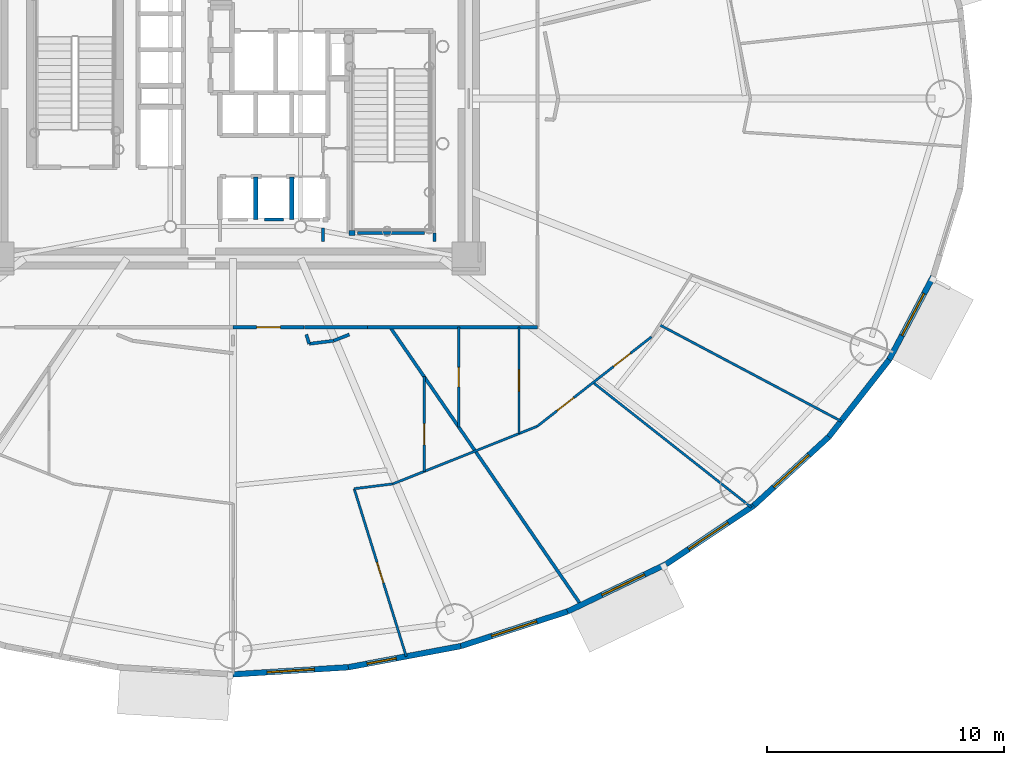
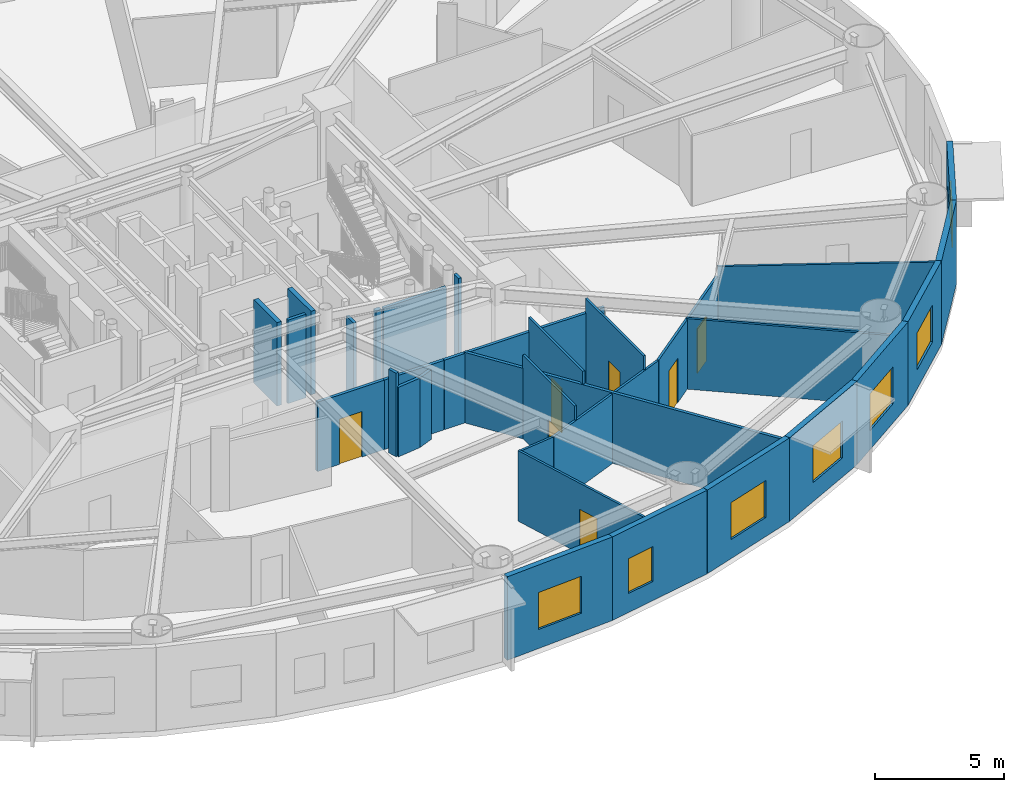
# One storey, part 10 of 21: 31 walls, 7 doors, 7 windows, 14 openings.
"""IFC4 building model written with IfcOpenShell, lengths in metres."""

from ifc_helpers import new_model, si_unit, direction, frame, frame_2d, origin, origin_2d, place, context, subcontext, project, spatial, rectangle, extrude, source, transform, mapped, material, layer, layer_set, type_object, element, fill, save


model = new_model("IFC4")

# Units and contexts
model_context = context("Model", 3, precision=1e-05, world=origin(), true_north=direction((0.0, 1.0)))
body_context = subcontext(model_context, "Body", "Model", "MODEL_VIEW")
ifc_project = project(units=[si_unit("LENGTHUNIT", "METRE"), si_unit("AREAUNIT", "SQUARE_METRE"), si_unit("VOLUMEUNIT", "CUBIC_METRE"), si_unit("PLANEANGLEUNIT", "RADIAN"), si_unit("MASSUNIT", "GRAM", prefix="KILO")], contexts=[model_context])

# Site, building, storey
site_placement = place(None, origin())
site = spatial("IfcSite", under=ifc_project, at=site_placement, CompositionType="ELEMENT")
building_placement = place(site_placement, origin())
building = spatial("IfcBuilding", under=site, at=building_placement, Name="Linh Dai School and Residence Tower", CompositionType="ELEMENT")
storey_placement = place(building_placement, frame((0.0, 0.0, 78.60009765625)))
storey = spatial("IfcBuildingStorey", under=building, at=storey_placement, Name="L18", CompositionType="ELEMENT", Elevation=78.60009765625)

# Wall, opening, window
ifc_material_1 = material(Name="Precast Concrete B45 (C35/45)", Category="concrete")
ifc_layer_1 = layer(ifc_material_1, 0.239990234375)
ifc_layer_set_1 = layer_set([ifc_layer_1], Name="Precast Concrete B45 (C35/45)")
wall_type_1 = type_object("IfcWallType", Name="EW-TC-240", PredefinedType="SOLIDWALL", material=ifc_layer_set_1)
wall_1_placement = place(storey_placement, frame((40.865478515625, 2.994873046875, 0.0), z_axis=(0.0, 0.0, 1.0), x_axis=(-0.998106954071, -0.061502099433, 0.0)))
wall_1 = element("IfcWall", 1, at=wall_1_placement, inside=storey, type_object=wall_type_1, Name="L18 Terracotta Exterior Wall 31", PredefinedType="SOLIDWALL", context=body_context, shape_type="SweptSolid", body=[
    extrude(rectangle(XDim=4.874755859375, YDim=0.239990234375, at=frame_2d((2.4375, 0.0))), origin(), (0.0, 0.0, 1.0), 3.949951171875),
])
opening_1_placement = place(wall_1_placement, frame((1.437255859375, 0.0, 0.89990234375)))
opening_1 = element("IfcOpeningElement", 2, at=opening_1_placement, cuts=wall_1, Name="Opening W1", PredefinedType="OPENING", context=body_context, shape_type="SweptSolid", body=[
    extrude(rectangle(XDim=2.0, YDim=1.75, at=origin_2d()), frame((1.0, 0.1298828125, 0.875), z_axis=(0.0, -1.0, 0.0), x_axis=(1.0, 0.0, 0.0)), (0.0, 0.0, 1.0), 0.260009765625),
])
ifc_material_2 = material(Name="Double Low-E Insulated Glazing", Category="glass")
window_type_1 = type_object("IfcWindowType", Name="WN-RES-2000x1750", PartitioningType="DOUBLE_PANEL_VERTICAL", PredefinedType="WINDOW", material=ifc_material_2)
shared_shape_1 = source(origin(), body_context, "Body", "SweptSolid", [
    extrude(rectangle(XDim=2.0, YDim=1.75, at=origin_2d()), frame((1.0, 0.030029296875, 0.875), z_axis=(0.0, -1.0, 0.0), x_axis=(1.0, 0.0, 0.0)), (0.0, 0.0, 1.0), 0.06005859375),
])
window_1_placement = place(opening_1_placement, origin())
window_1 = element("IfcWindow", 3, at=window_1_placement, inside=storey, type_object=window_type_1, Name="L18 Exterior Window 31.1", OverallHeight=1.75, OverallWidth=2.0, PartitioningType="DOUBLE_PANEL_VERTICAL", PredefinedType="WINDOW", context=body_context, shape_type="MappedRepresentation", body=[
    mapped(shared_shape_1, transform((0.0, 0.0, 0.0), x_axis=(1.0, 0.0, 0.0), y_axis=(0.0, 1.0, 0.0), z_axis=(0.0, 0.0, 1.0), scale=1.0)),
])
fill(opening_1, window_1)

wall_2_placement = place(storey_placement, frame((45.610595703125, 3.88671875, 0.0), z_axis=(0.0, 0.0, 1.0), x_axis=(-0.982791952378, -0.184715939598, 0.0)))
wall_2 = element("IfcWall", 4, at=wall_2_placement, inside=storey, type_object=wall_type_1, Name="L18 Terracotta Exterior Wall 32", PredefinedType="SOLIDWALL", context=body_context, shape_type="SweptSolid", body=[
    extrude(rectangle(XDim=4.828125, YDim=0.239990234375, at=frame_2d((2.4140625, 0.0))), origin(), (0.0, 0.0, 1.0), 3.949951171875),
])
opening_2_placement = place(wall_2_placement, frame((2.773193359375, 0.0, 0.89990234375)))
opening_2 = element("IfcOpeningElement", 5, at=opening_2_placement, cuts=wall_2, Name="Opening W3", PredefinedType="OPENING", context=body_context, shape_type="SweptSolid", body=[
    extrude(rectangle(XDim=1.25, YDim=1.64990234375, at=origin_2d()), frame((0.625, 0.1298828125, 0.824951171875), z_axis=(0.0, -1.0, 0.0), x_axis=(1.0, 0.0, 0.0)), (0.0, 0.0, 1.0), 0.260009765625),
])
window_type_2 = type_object("IfcWindowType", Name="WN-RES-1250x1650", PartitioningType="SINGLE_PANEL", PredefinedType="WINDOW", material=ifc_material_2)
shared_shape_2 = source(origin(), body_context, "Body", "SweptSolid", [
    extrude(rectangle(XDim=1.25, YDim=1.64990234375, at=origin_2d()), frame((0.625, 0.030029296875, 0.824951171875), z_axis=(0.0, -1.0, 0.0), x_axis=(1.0, 0.0, 0.0)), (0.0, 0.0, 1.0), 0.06005859375),
])
window_2_placement = place(opening_2_placement, origin())
window_2 = element("IfcWindow", 6, at=window_2_placement, inside=storey, type_object=window_type_2, Name="L18 Exterior Window 32.1", OverallHeight=1.64990234375, OverallWidth=1.25, PartitioningType="SINGLE_PANEL", PredefinedType="WINDOW", context=body_context, shape_type="MappedRepresentation", body=[
    mapped(shared_shape_2, transform((0.0, 0.0, 0.0), x_axis=(1.0, 0.0, 0.0), y_axis=(0.0, 1.0, 0.0), z_axis=(0.0, 0.0, 1.0), scale=1.0)),
])
fill(opening_2, window_2)

wall_3_placement = place(storey_placement, frame((50.1181640625, 5.348876953125, 0.0), z_axis=(0.0, 0.0, 1.0), x_axis=(-0.951207699013, -0.308551313946, 0.0)))
wall_3 = element("IfcWall", 7, at=wall_3_placement, inside=storey, type_object=wall_type_1, Name="L18 Terracotta Exterior Wall 33", PredefinedType="SOLIDWALL", context=body_context, shape_type="SweptSolid", body=[
    extrude(rectangle(XDim=4.73876953125, YDim=0.239990234375, at=frame_2d((2.369384765625, 0.0))), origin(), (0.0, 0.0, 1.0), 3.949951171875),
])
opening_3_placement = place(wall_3_placement, frame((1.369384765625, 0.0, 0.89990234375)))
opening_3 = element("IfcOpeningElement", 8, at=opening_3_placement, cuts=wall_3, Name="Opening W1", PredefinedType="OPENING", context=body_context, shape_type="SweptSolid", body=[
    extrude(rectangle(XDim=2.0, YDim=1.75, at=origin_2d()), frame((1.0, 0.1298828125, 0.875), z_axis=(0.0, -1.0, 0.0), x_axis=(1.0, 0.0, 0.0)), (0.0, 0.0, 1.0), 0.260009765625),
])
window_3_placement = place(opening_3_placement, origin())
window_3 = element("IfcWindow", 9, at=window_3_placement, inside=storey, type_object=window_type_1, Name="L18 Exterior Window 33.1", OverallHeight=1.75, OverallWidth=2.0, PartitioningType="DOUBLE_PANEL_VERTICAL", PredefinedType="WINDOW", context=body_context, shape_type="MappedRepresentation", body=[
    mapped(shared_shape_1, transform((0.0, 0.0, 0.0), x_axis=(1.0, 0.0, 0.0), y_axis=(0.0, 1.0, 0.0), z_axis=(0.0, 0.0, 1.0), scale=1.0)),
])
fill(opening_3, window_3)

wall_4_placement = place(storey_placement, frame((54.277099609375, 7.34423828125, 0.0), z_axis=(0.0, 0.0, 1.0), x_axis=(-0.901601503137, -0.432567601123, 0.0)))
wall_4 = element("IfcWall", 10, at=wall_4_placement, inside=storey, type_object=wall_type_1, Name="L18 Terracotta Exterior Wall 34", PredefinedType="SOLIDWALL", context=body_context, shape_type="SweptSolid", body=[
    extrude(rectangle(XDim=4.61279296875, YDim=0.239990234375, at=frame_2d((2.306396484375, 0.0))), origin(), (0.0, 0.0, 1.0), 3.949951171875),
])
opening_4_placement = place(wall_4_placement, frame((1.004150390625, 0.0, 0.89990234375)))
opening_4 = element("IfcOpeningElement", 11, at=opening_4_placement, cuts=wall_4, Name="Opening W1", PredefinedType="OPENING", context=body_context, shape_type="SweptSolid", body=[
    extrude(rectangle(XDim=2.0, YDim=1.75, at=origin_2d()), frame((1.0, 0.1298828125, 0.875), z_axis=(0.0, -1.0, 0.0), x_axis=(1.0, 0.0, 0.0)), (0.0, 0.0, 1.0), 0.260009765625),
])
window_4_placement = place(opening_4_placement, origin())
window_4 = element("IfcWindow", 12, at=window_4_placement, inside=storey, type_object=window_type_1, Name="L18 Exterior Window 34.1", OverallHeight=1.75, OverallWidth=2.0, PartitioningType="DOUBLE_PANEL_VERTICAL", PredefinedType="WINDOW", context=body_context, shape_type="MappedRepresentation", body=[
    mapped(shared_shape_1, transform((0.0, 0.0, 0.0), x_axis=(1.0, 0.0, 0.0), y_axis=(0.0, 1.0, 0.0), z_axis=(0.0, 0.0, 1.0), scale=1.0)),
])
fill(opening_4, window_4)

wall_5_placement = place(storey_placement, frame((57.984619140625, 9.82373046875, 0.0), z_axis=(0.0, 0.0, 1.0), x_axis=(-0.831240982525, -0.555912249343, 0.0)))
wall_5 = element("IfcWall", 13, at=wall_5_placement, inside=storey, type_object=wall_type_1, Name="L18 Terracotta Exterior Wall 35", PredefinedType="SOLIDWALL", context=body_context, shape_type="SweptSolid", body=[
    extrude(rectangle(XDim=4.460205078125, YDim=0.239990234375, at=frame_2d((2.22998046875, 0.0))), origin(), (0.0, 0.0, 1.0), 3.949951171875),
])
opening_5_placement = place(wall_5_placement, frame((1.3125, 0.0, 0.89990234375)))
opening_5 = element("IfcOpeningElement", 14, at=opening_5_placement, cuts=wall_5, Name="Opening W1", PredefinedType="OPENING", context=body_context, shape_type="SweptSolid", body=[
    extrude(rectangle(XDim=2.0, YDim=1.75, at=origin_2d()), frame((1.0, 0.1298828125, 0.875), z_axis=(0.0, -1.0, 0.0), x_axis=(1.0, 0.0, 0.0)), (0.0, 0.0, 1.0), 0.260009765625),
])
window_5_placement = place(opening_5_placement, origin())
window_5 = element("IfcWindow", 15, at=window_5_placement, inside=storey, type_object=window_type_1, Name="L18 Exterior Window 35.1", OverallHeight=1.75, OverallWidth=2.0, PartitioningType="DOUBLE_PANEL_VERTICAL", PredefinedType="WINDOW", context=body_context, shape_type="MappedRepresentation", body=[
    mapped(shared_shape_1, transform((0.0, 0.0, 0.0), x_axis=(1.0, 0.0, 0.0), y_axis=(0.0, 1.0, 0.0), z_axis=(0.0, 0.0, 1.0), scale=1.0)),
])
fill(opening_5, window_5)

wall_6_placement = place(storey_placement, frame((61.149658203125, 12.725341796875, 0.0), z_axis=(0.0, 0.0, 1.0), x_axis=(-0.737116376281, -0.67576582321, 0.0)))
wall_6 = element("IfcWall", 16, at=wall_6_placement, inside=storey, type_object=wall_type_1, Name="L18 Terracotta Exterior Wall 36", PredefinedType="SOLIDWALL", context=body_context, shape_type="SweptSolid", body=[
    extrude(rectangle(XDim=4.293701171875, YDim=0.239990234375, at=frame_2d((2.14697265625, 0.0))), origin(), (0.0, 0.0, 1.0), 3.949951171875),
])
opening_6_placement = place(wall_6_placement, frame((1.147216796875, 0.0, 0.89990234375)))
opening_6 = element("IfcOpeningElement", 17, at=opening_6_placement, cuts=wall_6, Name="Opening W1", PredefinedType="OPENING", context=body_context, shape_type="SweptSolid", body=[
    extrude(rectangle(XDim=2.0, YDim=1.75, at=origin_2d()), frame((1.0, 0.1298828125, 0.875), z_axis=(0.0, -1.0, 0.0), x_axis=(1.0, 0.0, 0.0)), (0.0, 0.0, 1.0), 0.260009765625),
])
window_6_placement = place(opening_6_placement, origin())
window_6 = element("IfcWindow", 18, at=window_6_placement, inside=storey, type_object=window_type_1, Name="L18 Exterior Window 36.1", OverallHeight=1.75, OverallWidth=2.0, PartitioningType="DOUBLE_PANEL_VERTICAL", PredefinedType="WINDOW", context=body_context, shape_type="MappedRepresentation", body=[
    mapped(shared_shape_1, transform((0.0, 0.0, 0.0), x_axis=(1.0, 0.0, 0.0), y_axis=(0.0, 1.0, 0.0), z_axis=(0.0, 0.0, 1.0), scale=1.0)),
])
fill(opening_6, window_6)

# Wall
wall_7_placement = place(storey_placement, frame((63.694580078125, 15.977294921875, 0.0), z_axis=(0.0, 0.0, 1.0), x_axis=(-0.616295508253, -0.787514981767, 0.0)))
element("IfcWall", 19, at=wall_7_placement, inside=storey, type_object=wall_type_1, Name="L18 Terracotta Exterior Wall 37", PredefinedType="SOLIDWALL", context=body_context, shape_type="SweptSolid", body=[
    extrude(rectangle(XDim=4.12939453125, YDim=0.239990234375, at=frame_2d((2.064697265625, 0.0))), origin(), (0.0, 0.0, 1.0), 3.949951171875),
])

# Wall, opening, window
wall_8_placement = place(storey_placement, frame((65.5576171875, 19.49853515625, 0.0), z_axis=(0.0, 0.0, 1.0), x_axis=(-0.467662443071, -0.883907144072, 0.0)))
wall_8 = element("IfcWall", 20, at=wall_8_placement, inside=storey, type_object=wall_type_1, Name="L18 Terracotta Exterior Wall 38", PredefinedType="SOLIDWALL", context=body_context, shape_type="SweptSolid", body=[
    extrude(rectangle(XDim=3.983642578125, YDim=0.239990234375, at=frame_2d((1.99169921875, 0.0))), origin(), (0.0, 0.0, 1.0), 3.949951171875),
])
opening_7_placement = place(wall_8_placement, frame((0.82470703125, 0.0, 0.89990234375)))
opening_7 = element("IfcOpeningElement", 21, at=opening_7_placement, cuts=wall_8, Name="Opening W1", PredefinedType="OPENING", context=body_context, shape_type="SweptSolid", body=[
    extrude(rectangle(XDim=2.0, YDim=1.75, at=origin_2d()), frame((1.0, 0.1298828125, 0.875), z_axis=(0.0, -1.0, 0.0), x_axis=(1.0, 0.0, 0.0)), (0.0, 0.0, 1.0), 0.260009765625),
])
window_7_placement = place(opening_7_placement, origin())
window_7 = element("IfcWindow", 22, at=window_7_placement, inside=storey, type_object=window_type_1, Name="L18 Exterior Window 38.1", OverallHeight=1.75, OverallWidth=2.0, PartitioningType="DOUBLE_PANEL_VERTICAL", PredefinedType="WINDOW", context=body_context, shape_type="MappedRepresentation", body=[
    mapped(shared_shape_1, transform((0.0, 0.0, 0.0), x_axis=(1.0, 0.0, 0.0), y_axis=(0.0, 1.0, 0.0), z_axis=(0.0, 0.0, 1.0), scale=1.0)),
])
fill(opening_7, window_7)

# Wall, opening, door
ifc_material_3 = material(Name="Autoclaved Aerated Concrete Blockwork", Category="masonry")
ifc_layer_2 = layer(ifc_material_3, 0.135009765625)
ifc_layer_set_2 = layer_set([ifc_layer_2], Name="Autoclaved Aerated Concrete Blockwork")
wall_type_2 = type_object("IfcWallType", Name="IW-CORR-135-EI90", PredefinedType="PARTITIONING", material=ifc_layer_set_2)
wall_9_placement = place(storey_placement, frame((36.0, 17.35009765625, 0.0), z_axis=(0.0, 0.0, 1.0), x_axis=(1.0, 0.0, 0.0)))
wall_9 = element("IfcWall", 23, at=wall_9_placement, inside=storey, type_object=wall_type_2, Name="L18 Interior Partition Wall 055", PredefinedType="PARTITIONING", context=body_context, shape_type="SweptSolid", body=[
    extrude(rectangle(XDim=2.995849609375, YDim=0.135009765625, at=frame_2d((1.498046875, 0.0))), origin(), (0.0, 0.0, 1.0), 3.284912109375),
])
opening_8_placement = place(wall_9_placement, frame((0.997802734375, 0.0, 0.0)))
opening_8 = element("IfcOpeningElement", 24, at=opening_8_placement, cuts=wall_9, Name="Opening D03", PredefinedType="OPENING", context=body_context, shape_type="SweptSolid", body=[
    extrude(rectangle(XDim=1.0, YDim=2.14990234375, at=origin_2d()), frame((0.5, 0.07763671875, 1.074951171875), z_axis=(0.0, -1.0, 0.0), x_axis=(1.0, 0.0, 0.0)), (0.0, 0.0, 1.0), 0.155029296875),
])
ifc_material_4 = material(Name="Fire-Rated Solid Timber Entrance Door", Category="wood")
door_type_1 = type_object("IfcDoorType", Name="DR-FLAT-1000x2150-FD60S", OperationType="NOTDEFINED", PredefinedType="DOOR", material=ifc_material_4)
shared_shape_3 = source(origin(), body_context, "Body", "SweptSolid", [
    extrude(rectangle(XDim=1.0, YDim=2.14990234375, at=origin_2d()), frame((0.5, 0.02490234375, 1.074951171875), z_axis=(0.0, -1.0, 0.0), x_axis=(1.0, 0.0, 0.0)), (0.0, 0.0, 1.0), 0.050048828125),
])
door_1_placement = place(opening_8_placement, origin())
door_1 = element("IfcDoor", 25, at=door_1_placement, inside=storey, type_object=door_type_1, Name="L18 U1803 Apartment Entrance Door", OperationType="SINGLE_SWING_RIGHT", OverallHeight=2.14990234375, OverallWidth=1.0, PredefinedType="DOOR", context=body_context, shape_type="MappedRepresentation", body=[
    mapped(shared_shape_3, transform((0.0, 0.0, 0.0), x_axis=(1.0, 0.0, 0.0), y_axis=(0.0, 1.0, 0.0), z_axis=(0.0, 0.0, 1.0), scale=1.0)),
])
fill(opening_8, door_1)

# Walls
wall_10_placement = place(storey_placement, frame((41.6787109375, 17.35009765625, 0.0), z_axis=(0.0, 0.0, 1.0), x_axis=(1.0, 0.0, 0.0)))
element("IfcWall", 26, at=wall_10_placement, inside=storey, type_object=wall_type_2, Name="L18 Interior Partition Wall 072", PredefinedType="PARTITIONING", context=body_context, shape_type="SweptSolid", body=[
    extrude(rectangle(XDim=7.17138671875, YDim=0.135009765625, at=frame_2d((3.585693359375, 0.0))), origin(), (0.0, 0.0, 1.0), 3.284912109375),
])
wall_11_placement = place(storey_placement, frame((42.630615234375, 17.35009765625, 0.0), z_axis=(0.0, 0.0, 1.0), x_axis=(0.566294409921, -0.824203034023, 0.0)))
element("IfcWall", 27, at=wall_11_placement, inside=storey, type_object=wall_type_2, Name="L18 Interior Partition Wall 074", PredefinedType="PARTITIONING", context=body_context, shape_type="SweptSolid", body=[
    extrude(rectangle(XDim=14.234375, YDim=0.135009765625, at=frame_2d((7.1171875, 0.0))), origin(), (0.0, 0.0, 1.0), 3.3349609375),
])
wall_12_placement = place(storey_placement, frame((44.080078125, 21.330078125, 0.0), z_axis=(0.0, 0.0, 1.0), x_axis=(-1.0, 0.0, 0.0)))
element("IfcWall", 28, at=wall_12_placement, inside=storey, type_object=wall_type_2, Name="L18 Interior Partition Wall 100", PredefinedType="PARTITIONING", context=body_context, shape_type="SweptSolid", body=[
    extrude(rectangle(XDim=2.820068359375, YDim=0.135009765625, at=frame_2d((1.41015625, 0.0))), origin(), (0.0, 0.0, 1.0), 3.48486328125),
])
wall_13_placement = place(storey_placement, frame((38.1201171875, 21.89990234375, 0.0), z_axis=(0.0, 0.0, 1.0), x_axis=(-1.0, 0.0, 0.0)))
element("IfcWall", 29, at=wall_13_placement, inside=storey, type_object=wall_type_2, Name="L18 Interior Partition Wall 102", PredefinedType="PARTITIONING", context=body_context, shape_type="SweptSolid", body=[
    extrude(rectangle(XDim=0.800048828125, YDim=0.135009765625, at=frame_2d((0.39990234375, 0.0))), origin(), (0.0, 0.0, 1.0), 3.949951171875),
])
wall_14_placement = place(storey_placement, frame((39.800048828125, 20.9599609375, 0.0), z_axis=(0.0, 0.0, 1.0), x_axis=(0.0, 1.0, 0.0)))
element("IfcWall", 30, at=wall_14_placement, inside=storey, type_object=wall_type_2, Name="L18 Interior Partition Wall 105", PredefinedType="PARTITIONING", context=body_context, shape_type="SweptSolid", body=[
    extrude(rectangle(XDim=0.580078125, YDim=0.135009765625, at=frame_2d((0.2900390625, 0.0))), origin(), (0.0, 0.0, 1.0), 3.48486328125),
])
wall_15_placement = place(storey_placement, frame((44.5, 20.9599609375, 0.0), z_axis=(0.0, 0.0, 1.0), x_axis=(0.0, 1.0, 0.0)))
element("IfcWall", 31, at=wall_15_placement, inside=storey, type_object=wall_type_2, Name="L18 Interior Partition Wall 107", PredefinedType="PARTITIONING", context=body_context, shape_type="SweptSolid", body=[
    extrude(rectangle(XDim=0.360107421875, YDim=0.135009765625, at=frame_2d((0.18017578125, 0.0))), origin(), (0.0, 0.0, 1.0), 3.949951171875),
])
wall_16_placement = place(storey_placement, frame((41.668701171875, 17.35009765625, 0.0), z_axis=(0.0, 0.0, 1.0), x_axis=(-1.0, 0.0, 0.0)))
element("IfcWall", 32, at=wall_16_placement, inside=storey, type_object=wall_type_2, Name="L18 Interior Partition Wall 113", PredefinedType="PARTITIONING", context=body_context, shape_type="SweptSolid", body=[
    extrude(rectangle(XDim=2.662841796875, YDim=0.135009765625, at=frame_2d((1.33154296875, 0.0))), origin(), (0.0, 0.0, 1.0), 3.284912109375),
])
wall_17_placement = place(storey_placement, frame((39.09130859375, 17.04248046875, 0.0), z_axis=(0.0, 0.0, 1.0), x_axis=(0.296585781617, -0.955006216808, 0.0)))
element("IfcWall", 33, at=wall_17_placement, inside=storey, type_object=wall_type_2, Name="L18 Interior Partition Wall 132", PredefinedType="PARTITIONING", context=body_context, shape_type="SweptSolid", body=[
    extrude(rectangle(XDim=0.41162109375, YDim=0.135009765625, at=frame_2d((0.205810546875, 0.0))), origin(), (0.0, 0.0, 1.0), 3.949951171875),
])
wall_18_placement = place(storey_placement, frame((39.21337890625, 16.6494140625, 0.0), z_axis=(0.0, 0.0, 1.0), x_axis=(0.992414944826, 0.122933222876, 0.0)))
element("IfcWall", 34, at=wall_18_placement, inside=storey, type_object=wall_type_2, Name="L18 Interior Partition Wall 133", PredefinedType="PARTITIONING", context=body_context, shape_type="SweptSolid", body=[
    extrude(rectangle(XDim=1.03662109375, YDim=0.135009765625, at=frame_2d((0.518310546875, 0.0))), origin(), (0.0, 0.0, 1.0), 3.284912109375),
])
wall_19_placement = place(storey_placement, frame((40.2421875, 16.77685546875, 0.0), z_axis=(0.0, 0.0, 1.0), x_axis=(0.928805178175, 0.370568402587, 0.0)))
element("IfcWall", 35, at=wall_19_placement, inside=storey, type_object=wall_type_2, Name="L18 Interior Partition Wall 134", PredefinedType="PARTITIONING", context=body_context, shape_type="SweptSolid", body=[
    extrude(rectangle(XDim=0.716796875, YDim=0.135009765625, at=frame_2d((0.3583984375, 0.0))), origin(), (0.0, 0.0, 1.0), 3.284912109375),
])
ifc_material_5 = material(Name="Concrete B45 (C35/45)", Category="concrete")
ifc_layer_3 = layer(ifc_material_5, 0.199951171875)
ifc_layer_set_3 = layer_set([ifc_layer_3], Name="Concrete B45 (C35/45)")
wall_type_3 = type_object("IfcWallType", Name="IW-SHAFT-200-EI120", PredefinedType="PARTITIONING", material=ifc_layer_set_3)
for number, where, z_axis, x_axis, name in (
    (36, (36.9599609375, 21.89990234375, 0.0), (0.0, 0.0, 1.0), (0.0, 1.0, 0.0), "L18 Interior Partition Wall 056"),
    (37, (38.47998046875, 21.89990234375, 0.0), (0.0, 0.0, 1.0), (0.0, 1.0, 0.0), "L18 Interior Partition Wall 059"),
):
    element("IfcWall", number, at=place(storey_placement, frame(where, z_axis=z_axis, x_axis=x_axis)), inside=storey, type_object=wall_type_3, Name=name, PredefinedType="PARTITIONING", context=body_context, shape_type="SweptSolid", body=[
        extrude(rectangle(XDim=1.800048828125, YDim=0.199951171875, at=frame_2d((0.89990234375, 0.0))), origin(), (0.0, 0.0, 1.0), 3.949951171875),
    ])
wall_20_placement = place(storey_placement, frame((40.89990234375, 21.330078125, 0.0), z_axis=(0.0, 0.0, 1.0), x_axis=(1.0, 0.0, 0.0)))
element("IfcWall", 38, at=wall_20_placement, inside=storey, type_object=wall_type_3, Name="L18 Interior Partition Wall 069", PredefinedType="PARTITIONING", context=body_context, shape_type="SweptSolid", body=[
    extrude(rectangle(XDim=0.25, YDim=0.199951171875, at=frame_2d((0.125, 0.0))), origin(), (0.0, 0.0, 1.0), 3.48486328125),
])
ifc_material_6 = material(Name="Gypsum Plasterboard Acoustic Stud Partition", Category="masonry")
ifc_layer_4 = layer(ifc_material_6, 0.10009765625)
ifc_layer_set_4 = layer_set([ifc_layer_4], Name="Gypsum Plasterboard Acoustic Stud Partition")
wall_type_4 = type_object("IfcWallType", Name="IW-UNIT-100", PredefinedType="PARTITIONING", material=ifc_layer_set_4)
wall_21_placement = place(storey_placement, frame((41.112060546875, 10.532958984375, 0.0), z_axis=(0.0, 0.0, 1.0), x_axis=(0.992389049993, 0.123142086442, 0.0)))
element("IfcWall", 39, at=wall_21_placement, inside=storey, type_object=wall_type_4, Name="L18 Interior Partition Wall 070", PredefinedType="PARTITIONING", context=body_context, shape_type="SweptSolid", body=[
    extrude(rectangle(XDim=1.6494140625, YDim=0.10009765625, at=frame_2d((0.82470703125, 0.0))), origin(), (0.0, 0.0, 1.0), 3.284912109375),
])

# Wall, opening, door
wall_22_placement = place(storey_placement, frame((41.112060546875, 10.532958984375, 0.0), z_axis=(0.0, 0.0, 1.0), x_axis=(0.296478934609, -0.955039392556, 0.0)))
wall_22 = element("IfcWall", 40, at=wall_22_placement, inside=storey, type_object=wall_type_4, Name="L18 Interior Partition Wall 071", PredefinedType="PARTITIONING", context=body_context, shape_type="SweptSolid", body=[
    extrude(rectangle(XDim=7.4169921875, YDim=0.10009765625, at=frame_2d((3.70849609375, 0.0))), origin(), (0.0, 0.0, 1.0), 3.3349609375),
])
opening_9_placement = place(wall_22_placement, frame((3.258544921875, 0.0, 0.0)))
opening_9 = element("IfcOpeningElement", 41, at=opening_9_placement, cuts=wall_22, Name="Opening D05", PredefinedType="OPENING", context=body_context, shape_type="SweptSolid", body=[
    extrude(rectangle(XDim=0.89990234375, YDim=2.10009765625, at=origin_2d()), frame((0.449951171875, 0.06005859375, 1.050048828125), z_axis=(0.0, -1.0, 0.0), x_axis=(1.0, 0.0, 0.0)), (0.0, 0.0, 1.0), 0.1201171875),
])
ifc_material_7 = material(Name="Engineered Timber Internal Door", Category="wood")
door_type_2 = type_object("IfcDoorType", Name="DR-INT-900x2100", OperationType="NOTDEFINED", PredefinedType="DOOR", material=ifc_material_7)
shared_shape_4 = source(origin(), body_context, "Body", "SweptSolid", [
    extrude(rectangle(XDim=0.89990234375, YDim=2.10009765625, at=origin_2d()), frame((0.449951171875, 0.02490234375, 1.050048828125), z_axis=(0.0, -1.0, 0.0), x_axis=(1.0, 0.0, 0.0)), (0.0, 0.0, 1.0), 0.050048828125),
])
door_2_placement = place(opening_9_placement, origin())
door_2 = element("IfcDoor", 42, at=door_2_placement, inside=storey, type_object=door_type_2, Name="L18 Apartment U1803 Principal Bedroom 3 Door", OperationType="SINGLE_SWING_LEFT", OverallHeight=2.10009765625, OverallWidth=0.89990234375, PredefinedType="DOOR", context=body_context, shape_type="MappedRepresentation", body=[
    mapped(shared_shape_4, transform((0.0, 0.0, 0.0), x_axis=(1.0, 0.0, 0.0), y_axis=(0.0, 1.0, 0.0), z_axis=(0.0, 0.0, 1.0), scale=1.0)),
])
fill(opening_9, door_2)

# Wall
wall_23_placement = place(storey_placement, frame((42.7490234375, 10.736083984375, 0.0), z_axis=(0.0, 0.0, 1.0), x_axis=(0.928807683782, 0.370562122386, 0.0)))
element("IfcWall", 43, at=wall_23_placement, inside=storey, type_object=wall_type_4, Name="L18 Interior Partition Wall 075", PredefinedType="PARTITIONING", context=body_context, shape_type="SweptSolid", body=[
    extrude(rectangle(XDim=6.5546875, YDim=0.10009765625, at=frame_2d((3.27734375, 0.0))), origin(), (0.0, 0.0, 1.0), 3.284912109375),
])

# Wall, opening, door
wall_24_placement = place(storey_placement, frame((44.063720703125, 11.260498046875, 0.0), z_axis=(0.0, 0.0, 1.0), x_axis=(0.0, 1.0, 0.0)))
wall_24 = element("IfcWall", 44, at=wall_24_placement, inside=storey, type_object=wall_type_4, Name="L18 Interior Partition Wall 077", PredefinedType="PARTITIONING", context=body_context, shape_type="SweptSolid", body=[
    extrude(rectangle(XDim=4.003662109375, YDim=0.10009765625, at=frame_2d((2.001953125, 0.0))), origin(), (0.0, 0.0, 1.0), 3.949951171875),
])
opening_10_placement = place(wall_24_placement, frame((1.122314453125, 0.0, 0.0)))
opening_10 = element("IfcOpeningElement", 45, at=opening_10_placement, cuts=wall_24, Name="Opening D05", PredefinedType="OPENING", context=body_context, shape_type="SweptSolid", body=[
    extrude(rectangle(XDim=0.89990234375, YDim=2.10009765625, at=origin_2d()), frame((0.449951171875, 0.06005859375, 1.050048828125), z_axis=(0.0, -1.0, 0.0), x_axis=(1.0, 0.0, 0.0)), (0.0, 0.0, 1.0), 0.1201171875),
])
door_3_placement = place(opening_10_placement, origin())
door_3 = element("IfcDoor", 46, at=door_3_placement, inside=storey, type_object=door_type_2, Name="L18 Apartment U1803 Kitchen Door", OperationType="SINGLE_SWING_LEFT", OverallHeight=2.10009765625, OverallWidth=0.89990234375, PredefinedType="DOOR", context=body_context, shape_type="MappedRepresentation", body=[
    mapped(shared_shape_4, transform((0.0, 0.0, 0.0), x_axis=(1.0, 0.0, 0.0), y_axis=(0.0, 1.0, 0.0), z_axis=(0.0, 0.0, 1.0), scale=1.0)),
])
fill(opening_10, door_3)

wall_25_placement = place(storey_placement, frame((45.5244140625, 13.13818359375, 0.0), z_axis=(0.0, 0.0, 1.0), x_axis=(0.0, 1.0, 0.0)))
wall_25 = element("IfcWall", 47, at=wall_25_placement, inside=storey, type_object=wall_type_4, Name="L18 Interior Partition Wall 079", PredefinedType="PARTITIONING", context=body_context, shape_type="SweptSolid", body=[
    extrude(rectangle(XDim=4.2119140625, YDim=0.10009765625, at=frame_2d((2.10595703125, 0.0))), origin(), (0.0, 0.0, 1.0), 3.949951171875),
])
opening_11_placement = place(wall_25_placement, frame((1.69580078125, 0.0, 0.0)))
opening_11 = element("IfcOpeningElement", 48, at=opening_11_placement, cuts=wall_25, Name="Opening D06", PredefinedType="OPENING", context=body_context, shape_type="SweptSolid", body=[
    extrude(rectangle(XDim=0.820068359375, YDim=2.10009765625, at=origin_2d()), frame((0.41015625, 0.06005859375, 1.050048828125), z_axis=(0.0, -1.0, 0.0), x_axis=(1.0, 0.0, 0.0)), (0.0, 0.0, 1.0), 0.1201171875),
])
ifc_material_8 = material(Name="Moisture-Resistant Timber Bathroom Door", Category="wood")
door_type_3 = type_object("IfcDoorType", Name="DR-WET-820x2100", OperationType="NOTDEFINED", PredefinedType="DOOR", material=ifc_material_8)
shared_shape_5 = source(origin(), body_context, "Body", "SweptSolid", [
    extrude(rectangle(XDim=0.820068359375, YDim=2.10009765625, at=origin_2d()), frame((0.41015625, 0.02490234375, 1.050048828125), z_axis=(0.0, -1.0, 0.0), x_axis=(1.0, 0.0, 0.0)), (0.0, 0.0, 1.0), 0.050048828125),
])
door_4_placement = place(opening_11_placement, origin())
door_4 = element("IfcDoor", 49, at=door_4_placement, inside=storey, type_object=door_type_3, Name="L18 Apartment U1804 Bathroom 1 Door", OperationType="SINGLE_SWING_LEFT", OverallHeight=2.10009765625, OverallWidth=0.820068359375, PredefinedType="DOOR", context=body_context, shape_type="MappedRepresentation", body=[
    mapped(shared_shape_5, transform((0.0, 0.0, 0.0), x_axis=(1.0, 0.0, 0.0), y_axis=(0.0, 1.0, 0.0), z_axis=(0.0, 0.0, 1.0), scale=1.0)),
])
fill(opening_11, door_4)

wall_26_placement = place(storey_placement, frame((48.071044921875, 12.859375, 0.0), z_axis=(0.0, 0.0, 1.0), x_axis=(0.0, 1.0, 0.0)))
wall_26 = element("IfcWall", 50, at=wall_26_placement, inside=storey, type_object=wall_type_4, Name="L18 Interior Partition Wall 081", PredefinedType="PARTITIONING", context=body_context, shape_type="SweptSolid", body=[
    extrude(rectangle(XDim=4.49072265625, YDim=0.10009765625, at=frame_2d((2.245361328125, 0.0))), origin(), (0.0, 0.0, 1.0), 3.949951171875),
])
opening_12_placement = place(wall_26_placement, frame((1.79541015625, 0.0, 0.0)))
opening_12 = element("IfcOpeningElement", 51, at=opening_12_placement, cuts=wall_26, Name="Opening D05", PredefinedType="OPENING", context=body_context, shape_type="SweptSolid", body=[
    extrude(rectangle(XDim=0.89990234375, YDim=2.10009765625, at=origin_2d()), frame((0.449951171875, 0.06005859375, 1.050048828125), z_axis=(0.0, -1.0, 0.0), x_axis=(1.0, 0.0, 0.0)), (0.0, 0.0, 1.0), 0.1201171875),
])
door_5_placement = place(opening_12_placement, origin())
door_5 = element("IfcDoor", 52, at=door_5_placement, inside=storey, type_object=door_type_2, Name="L18 Apartment U1804 Kitchen Door", OperationType="SINGLE_SWING_RIGHT", OverallHeight=2.10009765625, OverallWidth=0.89990234375, PredefinedType="DOOR", context=body_context, shape_type="MappedRepresentation", body=[
    mapped(shared_shape_4, transform((0.0, 0.0, 0.0), x_axis=(1.0, 0.0, 0.0), y_axis=(0.0, 1.0, 0.0), z_axis=(0.0, 0.0, 1.0), scale=1.0)),
])
fill(opening_12, door_5)

# Wall, openings, doors
wall_27_placement = place(storey_placement, frame((48.837158203125, 13.1650390625, 0.0), z_axis=(0.0, 0.0, 1.0), x_axis=(0.787362261728, 0.616490607233, 0.0)))
wall_27 = element("IfcWall", 53, at=wall_27_placement, inside=storey, type_object=wall_type_4, Name="L18 Interior Partition Wall 082", PredefinedType="PARTITIONING", context=body_context, shape_type="SweptSolid", body=[
    extrude(rectangle(XDim=6.13671875, YDim=0.10009765625, at=frame_2d((3.068359375, 0.0))), origin(), (0.0, 0.0, 1.0), 3.284912109375),
])
opening_13_placement = place(wall_27_placement, frame((1.069580078125, 0.0, 0.0)))
opening_13 = element("IfcOpeningElement", 54, at=opening_13_placement, cuts=wall_27, Name="Opening D05", PredefinedType="OPENING", context=body_context, shape_type="SweptSolid", body=[
    extrude(rectangle(XDim=0.89990234375, YDim=2.10009765625, at=origin_2d()), frame((0.449951171875, 0.06005859375, 1.050048828125), z_axis=(0.0, -1.0, 0.0), x_axis=(1.0, 0.0, 0.0)), (0.0, 0.0, 1.0), 0.1201171875),
])
opening_14_placement = place(wall_27_placement, frame((4.097900390625, 0.0, 0.0)))
opening_14 = element("IfcOpeningElement", 55, at=opening_14_placement, cuts=wall_27, Name="Opening D05", PredefinedType="OPENING", context=body_context, shape_type="SweptSolid", body=[
    extrude(rectangle(XDim=0.89990234375, YDim=2.10009765625, at=origin_2d()), frame((0.449951171875, 0.06005859375, 1.050048828125), z_axis=(0.0, -1.0, 0.0), x_axis=(1.0, 0.0, 0.0)), (0.0, 0.0, 1.0), 0.1201171875),
])
door_6_placement = place(opening_13_placement, origin())
door_6 = element("IfcDoor", 56, at=door_6_placement, inside=storey, type_object=door_type_2, Name="L18 Apartment U1804 Principal Bedroom 1 Door", OperationType="SINGLE_SWING_LEFT", OverallHeight=2.10009765625, OverallWidth=0.89990234375, PredefinedType="DOOR", context=body_context, shape_type="MappedRepresentation", body=[
    mapped(shared_shape_4, transform((0.0, 0.0, 0.0), x_axis=(1.0, 0.0, 0.0), y_axis=(0.0, 1.0, 0.0), z_axis=(0.0, 0.0, 1.0), scale=1.0)),
])
fill(opening_13, door_6)
door_7_placement = place(opening_14_placement, origin())
door_7 = element("IfcDoor", 57, at=door_7_placement, inside=storey, type_object=door_type_2, Name="L18 Apartment U1804 Principal Bedroom 2 Door", OperationType="SINGLE_SWING_RIGHT", OverallHeight=2.10009765625, OverallWidth=0.89990234375, PredefinedType="DOOR", context=body_context, shape_type="MappedRepresentation", body=[
    mapped(shared_shape_4, transform((0.0, 0.0, 0.0), x_axis=(1.0, 0.0, 0.0), y_axis=(0.0, 1.0, 0.0), z_axis=(0.0, 0.0, 1.0), scale=1.0)),
])
fill(opening_14, door_7)

# Walls
wall_28_placement = place(storey_placement, frame((51.198486328125, 15.013916015625, 0.0), z_axis=(0.0, 0.0, 1.0), x_axis=(0.785206636592, -0.619233831321, 0.0)))
element("IfcWall", 58, at=wall_28_placement, inside=storey, type_object=wall_type_4, Name="L18 Interior Partition Wall 088", PredefinedType="PARTITIONING", context=body_context, shape_type="SweptSolid", body=[
    extrude(rectangle(XDim=8.506591796875, YDim=0.10009765625, at=frame_2d((4.25341796875, 0.0))), origin(), (0.0, 0.0, 1.0), 3.3349609375),
])
wall_29_placement = place(storey_placement, frame((53.997314453125, 17.452880859375, 0.0), z_axis=(0.0, 0.0, 1.0), x_axis=(0.883396518475, -0.468626280896, 0.0)))
element("IfcWall", 59, at=wall_29_placement, inside=storey, type_object=wall_type_4, Name="L18 Interior Partition Wall 093", PredefinedType="PARTITIONING", context=body_context, shape_type="SweptSolid", body=[
    extrude(rectangle(XDim=8.685546875, YDim=0.10009765625, at=frame_2d((4.3427734375, 0.0))), origin(), (0.0, 0.0, 1.0), 3.3349609375),
])

save(model, "model.ifc")
